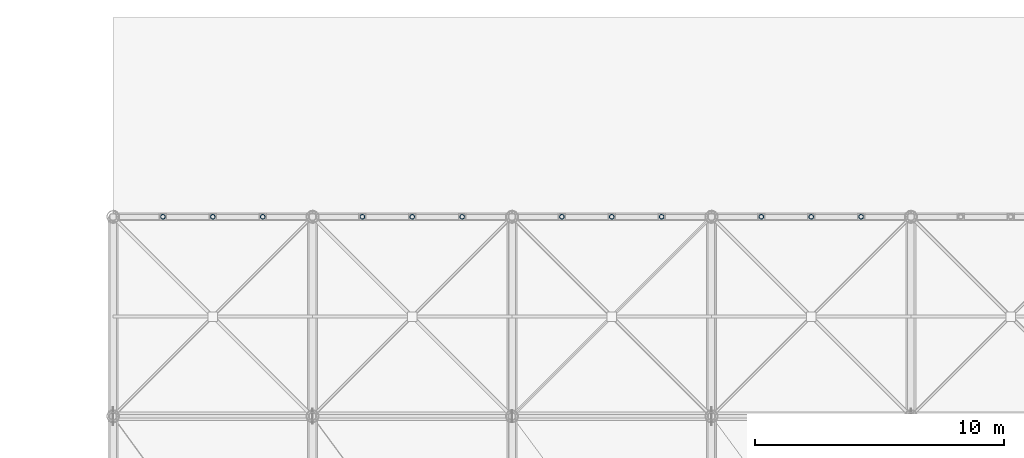
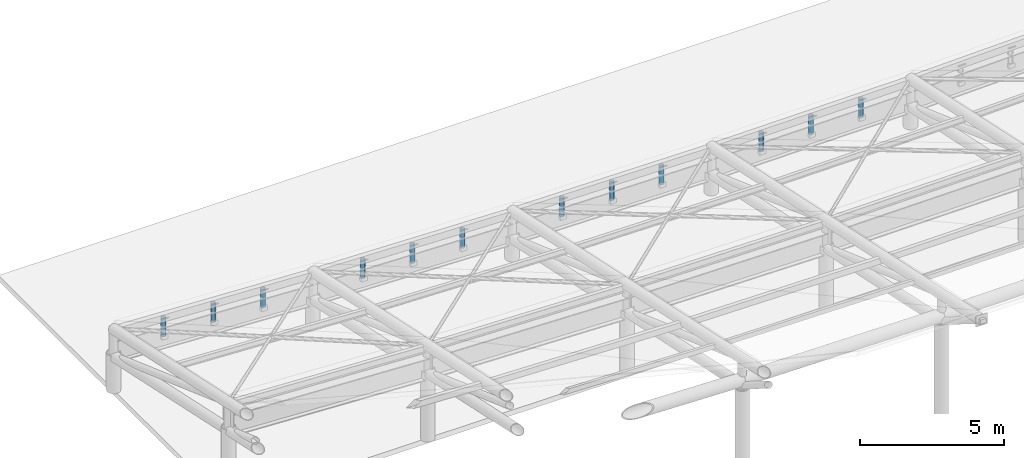
# One storey, part 25 of 54: 12 members.
"""IFC4 building model written with IfcOpenShell, lengths in metres."""

from ifc_helpers import new_model, si_unit, direction, frame, origin, origin_2d, place, context, subcontext, project, spatial, hollow_circle, extrude, material, material_profile, profile_set, type_object, element, save


model = new_model("IFC4")

# Units and contexts
model_context = context("Model", 3, precision=1e-05, world=origin(), true_north=direction((0.0, 1.0)))
body_context = subcontext(model_context, "Body", "Model", "MODEL_VIEW")
ifc_project = project(units=[si_unit("LENGTHUNIT", "METRE"), si_unit("AREAUNIT", "SQUARE_METRE"), si_unit("VOLUMEUNIT", "CUBIC_METRE"), si_unit("PLANEANGLEUNIT", "RADIAN"), si_unit("MASSUNIT", "GRAM", prefix="KILO")], contexts=[model_context])

# Site, building, storey
site_placement = place(None, origin())
site = spatial("IfcSite", under=ifc_project, at=site_placement, CompositionType="ELEMENT")
building_placement = place(site_placement, origin())
building = spatial("IfcBuilding", under=site, at=building_placement, Name="Haebicheon Civic Stadium", CompositionType="ELEMENT")
storey_placement = place(building_placement, frame((0.0, 0.0, 22.800048828125)))
storey = spatial("IfcBuildingStorey", under=building, at=storey_placement, Name="L06", CompositionType="ELEMENT", Elevation=22.800048828125)

# Members
ifc_material = material(Name="White painted steel SM490", Category="steel")
ifc_material_profile = material_profile(ifc_material, hollow_circle(Radius=0.095458984375, WallThickness=0.011962890625, at=origin_2d()), Name="CHS-190.7x12.0")
ifc_profile_set = profile_set([ifc_material_profile], Name="White painted steel SM490")
member_type = type_object("IfcMemberType", Name="HRD-CHS190", PredefinedType="USERDEFINED", material=ifc_profile_set)
for number, where, z_axis, x_axis, name in (
    (1, (82.0, 160.0, 1.594970703125), (0.0, 0.0, 1.0), (1.0, 0.0, 0.0), "CAN-NORTH white vertical suspension rod 1.1"),
    (2, (84.0, 160.0, 1.50390625), (0.0, 0.0, 1.0), (1.0, 0.0, 0.0), "CAN-NORTH white vertical suspension rod 1.2"),
    (3, (86.0, 160.0, 1.411865234375), (0.0, 0.0, 1.0), (1.0, 0.0, 0.0), "CAN-NORTH white vertical suspension rod 1.3"),
    (4, (90.0, 160.0, 1.264892578125), (0.0, 0.0, 1.0), (1.0, 0.0, 0.0), "CAN-NORTH white vertical suspension rod 2.1"),
    (5, (92.0, 160.0, 1.2099609375), (0.0, 0.0, 1.0), (1.0, 0.0, 0.0), "CAN-NORTH white vertical suspension rod 2.2"),
):
    element("IfcMember", number, at=place(storey_placement, frame(where, z_axis=z_axis, x_axis=x_axis)), inside=storey, type_object=member_type, material=ifc_profile_set, Name=name, ObjectType="HANGER ROD", PredefinedType="USERDEFINED", context=body_context, shape_type="SweptSolid", body=[
        extrude(hollow_circle(Radius=0.095458984375, WallThickness=0.011962890625, at=origin_2d()), origin(), (0.0, 0.0, 1.0), 0.800048828125),
    ])
for number, where, z_axis, x_axis, name in (
    (6, (94.0, 160.0, 1.155029296875), (0.0, 0.0, 1.0), (1.0, 0.0, 0.0), "CAN-NORTH white vertical suspension rod 2.3"),
    (7, (98.0, 160.0, 1.08203125), (0.0, 0.0, 1.0), (1.0, 0.0, 0.0), "CAN-NORTH white vertical suspension rod 3.1"),
):
    element("IfcMember", number, at=place(storey_placement, frame(where, z_axis=z_axis, x_axis=x_axis)), inside=storey, type_object=member_type, material=ifc_profile_set, Name=name, ObjectType="HANGER ROD", PredefinedType="USERDEFINED", context=body_context, shape_type="SweptSolid", body=[
        extrude(hollow_circle(Radius=0.095458984375, WallThickness=0.011962890625, at=origin_2d()), origin(), (0.0, 0.0, 1.0), 0.7998046875),
    ])
for number, where, z_axis, x_axis, name in (
    (8, (100.0, 160.0, 1.06396484375), (0.0, 0.0, 1.0), (1.0, 0.0, 0.0), "CAN-NORTH white vertical suspension rod 3.2"),
    (9, (102.0, 160.0, 1.044921875), (0.0, 0.0, 1.0), (1.0, 0.0, 0.0), "CAN-NORTH white vertical suspension rod 3.3"),
    (10, (106.0, 160.0, 1.044921875), (0.0, 0.0, 1.0), (1.0, 0.0, 0.0), "CAN-NORTH white vertical suspension rod 4.1"),
    (11, (108.0, 160.0, 1.06396484375), (0.0, 0.0, 1.0), (1.0, 0.0, 0.0), "CAN-NORTH white vertical suspension rod 4.2"),
):
    element("IfcMember", number, at=place(storey_placement, frame(where, z_axis=z_axis, x_axis=x_axis)), inside=storey, type_object=member_type, material=ifc_profile_set, Name=name, ObjectType="HANGER ROD", PredefinedType="USERDEFINED", context=body_context, shape_type="SweptSolid", body=[
        extrude(hollow_circle(Radius=0.095458984375, WallThickness=0.011962890625, at=origin_2d()), origin(), (0.0, 0.0, 1.0), 0.800048828125),
    ])
member_placement = place(storey_placement, frame((110.0, 160.0, 1.08203125), z_axis=(0.0, 0.0, 1.0), x_axis=(1.0, 0.0, 0.0)))
element("IfcMember", 12, at=member_placement, inside=storey, type_object=member_type, material=ifc_profile_set, Name="CAN-NORTH white vertical suspension rod 4.3", ObjectType="HANGER ROD", PredefinedType="USERDEFINED", context=body_context, shape_type="SweptSolid", body=[
    extrude(hollow_circle(Radius=0.095458984375, WallThickness=0.011962890625, at=origin_2d()), origin(), (0.0, 0.0, 1.0), 0.7998046875),
])

save(model, "model.ifc")
